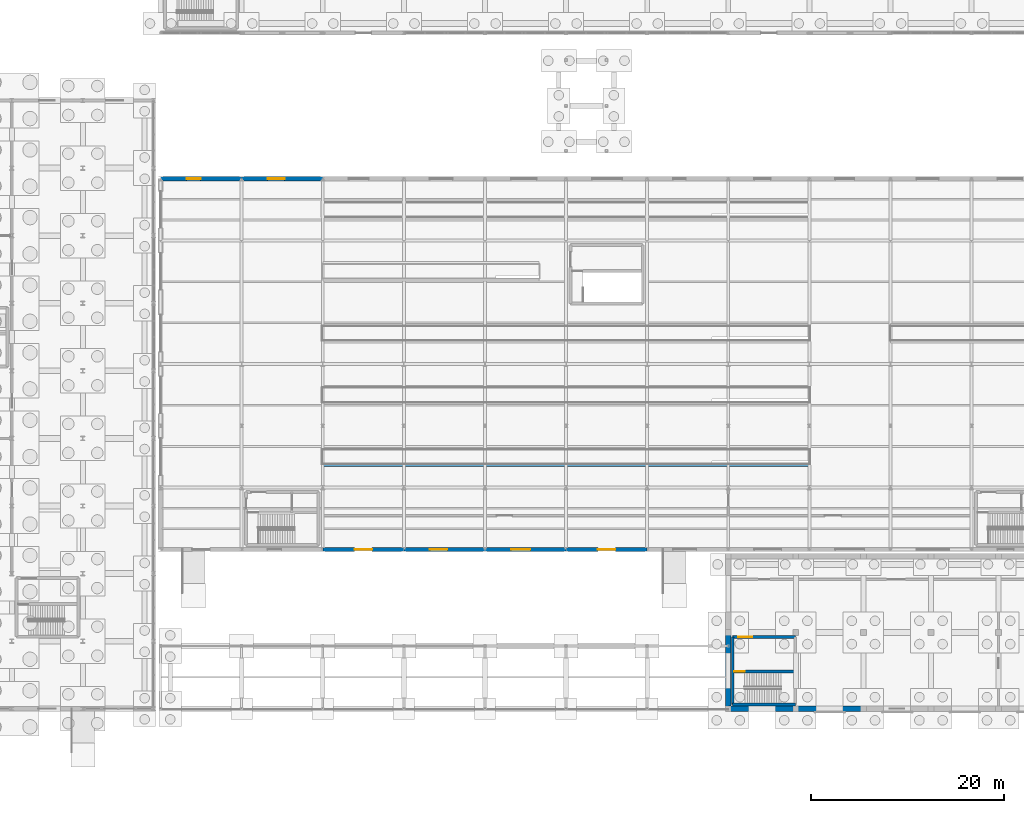
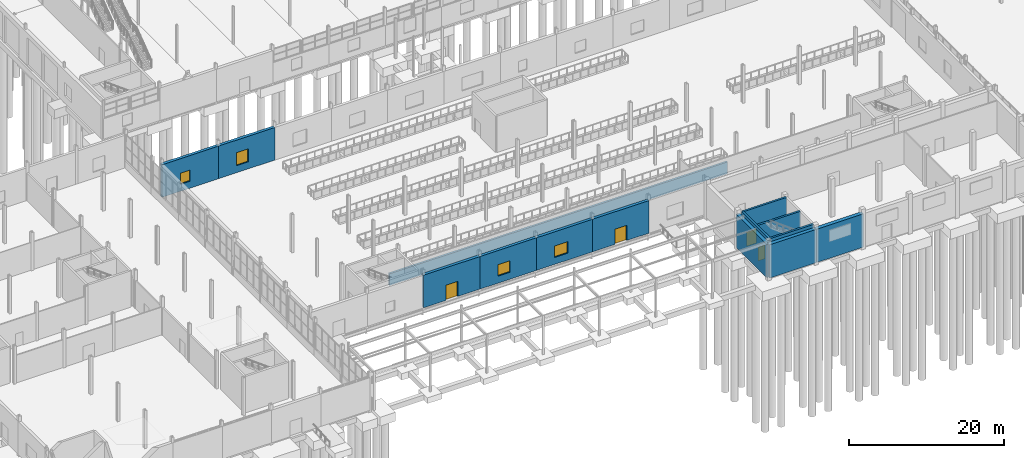
# One storey, part 121 of 139: 14 walls, 4 doors, 4 windows, 8 openings.
"""IFC4 building model written with IfcOpenShell, lengths in metres."""

from ifc_helpers import new_model, si_unit, direction, frame, frame_2d, origin, place, context, subcontext, project, spatial, rectangle, extrude, material, layer, layer_set, type_object, element, fill, save


model = new_model("IFC4")

# Units and contexts
model_context = context("Model", 3, precision=1e-05, world=origin(), true_north=direction((0.0, 1.0)))
body_context = subcontext(model_context, "Body", "Model", "MODEL_VIEW")
ifc_project = project(units=[si_unit("LENGTHUNIT", "METRE"), si_unit("AREAUNIT", "SQUARE_METRE"), si_unit("VOLUMEUNIT", "CUBIC_METRE"), si_unit("PLANEANGLEUNIT", "RADIAN"), si_unit("MASSUNIT", "GRAM", prefix="KILO")], contexts=[model_context])

# Site, building, storey
site_placement = place(None, origin())
site = spatial("IfcSite", under=ifc_project, at=site_placement, CompositionType="ELEMENT")
building_placement = place(site_placement, origin())
building = spatial("IfcBuilding", under=site, at=building_placement, Name="Kazenagashi Tramway Depot", CompositionType="ELEMENT")
storey_placement = place(building_placement, origin())
storey = spatial("IfcBuildingStorey", under=building, at=storey_placement, Name="L01", CompositionType="ELEMENT", Elevation=0.0)

# Wall, opening, door
ifc_material_1 = material(Name="Clay Brick Masonry JIS R 1250 Class 1 (20 MPa)", Category="masonry")
ifc_layer_1 = layer(ifc_material_1, 0.43)
ifc_layer_set_1 = layer_set([ifc_layer_1], Name="Clay Brick Masonry JIS R 1250 Class 1 (20 MPa)")
wall_type_1 = type_object("IfcWallType", Name="W-BK1", PredefinedType="SOLIDWALL", material=ifc_layer_set_1)
wall_1_placement = place(storey_placement, frame((61.6, 16.5, 0.0), z_axis=(0.0, 0.0, 1.0), x_axis=(1.0, 0.0, 0.0)))
wall_1 = element("IfcWall", 1, at=wall_1_placement, inside=storey, type_object=wall_type_1, Name="Exterior Brick Wall W-BK1 EWALL-0081", PredefinedType="SOLIDWALL", context=body_context, shape_type="SweptSolid", body=[
    extrude(rectangle(XDim=8.4, YDim=0.43, at=frame_2d((4.2, 0.0))), origin(), (0.0, 0.0, 1.0), 5.14),
])
opening_1_placement = place(wall_1_placement, frame((3.3, 0.0, 0.0)))
opening_1 = element("IfcOpeningElement", 2, at=opening_1_placement, cuts=wall_1, Name="Opening D-008", PredefinedType="OPENING", context=body_context, shape_type="SweptSolid", body=[
    extrude(rectangle(XDim=1.8, YDim=2.4, at=frame_2d((0.9, 1.2))), frame((0.0, 0.225, 0.0), z_axis=(0.0, -1.0, 0.0), x_axis=(1.0, 0.0, 0.0)), (0.0, 0.0, 1.0), 0.45),
])
ifc_material_2 = material(Name="Anodised Aluminium and Laminated Glass", Category="aluminium")
door_type_1 = type_object("IfcDoorType", Name="DT-01", OperationType="NOTDEFINED", PredefinedType="DOOR", material=ifc_material_2)
door_1_placement = place(opening_1_placement, frame((1.8, 0.0, 0.0), z_axis=(0.0, 0.0, 1.0), x_axis=(-1.0, 0.0, 0.0)))
door_1 = element("IfcDoor", 3, at=door_1_placement, inside=storey, type_object=door_type_1, Name="Overhaul Hall Final Exit Door D-008", OperationType="DOUBLE_DOOR_SINGLE_SWING", OverallHeight=2.4, OverallWidth=1.8, PredefinedType="DOOR", context=body_context, shape_type="SweptSolid", body=[
    extrude(rectangle(XDim=1.8, YDim=2.4, at=frame_2d((0.9, 1.2))), frame((0.0, 0.025, 0.0), z_axis=(0.0, -1.0, 0.0), x_axis=(1.0, 0.0, 0.0)), (0.0, 0.0, 1.0), 0.05),
])
fill(opening_1, door_1)

# Wall, opening, window
wall_2_placement = place(storey_placement, frame((70.0, 16.5, 0.0), z_axis=(0.0, 0.0, 1.0), x_axis=(1.0, 0.0, 0.0)))
wall_2 = element("IfcWall", 4, at=wall_2_placement, inside=storey, type_object=wall_type_1, Name="Exterior Brick Wall W-BK1 EWALL-0083", PredefinedType="SOLIDWALL", context=body_context, shape_type="SweptSolid", body=[
    extrude(rectangle(XDim=8.4, YDim=0.43, at=frame_2d((4.2, 0.0))), origin(), (0.0, 0.0, 1.0), 5.14),
])
opening_2_placement = place(wall_2_placement, frame((2.7, 0.0, 1.1)))
opening_2 = element("IfcOpeningElement", 5, at=opening_2_placement, cuts=wall_2, Name="Opening WN-05", PredefinedType="OPENING", context=body_context, shape_type="SweptSolid", body=[
    extrude(rectangle(XDim=1.8, YDim=1.8, at=frame_2d((0.9, 0.9))), frame((0.0, 0.225, 0.0), z_axis=(0.0, -1.0, 0.0), x_axis=(1.0, 0.0, 0.0)), (0.0, 0.0, 1.0), 0.45),
])
ifc_material_3 = material(Name="Anodised Aluminium and Tempered Low-E Glass", Category="aluminium")
window_type_1 = type_object("IfcWindowType", Name="WN-05", PartitioningType="SINGLE_PANEL", PredefinedType="WINDOW", material=ifc_material_3)
window_1_placement = place(opening_2_placement, origin())
window_1 = element("IfcWindow", 6, at=window_1_placement, inside=storey, type_object=window_type_1, Name="Window WN-05 WIN-0053", OverallHeight=1.8, OverallWidth=1.8, PartitioningType="SINGLE_PANEL", PredefinedType="WINDOW", context=body_context, shape_type="SweptSolid", body=[
    extrude(rectangle(XDim=1.8, YDim=1.8, at=frame_2d((0.9, 0.9))), frame((0.0, 0.03, 0.0), z_axis=(0.0, -1.0, 0.0), x_axis=(1.0, 0.0, 0.0)), (0.0, 0.0, 1.0), 0.06),
])
fill(opening_2, window_1)

wall_3_placement = place(storey_placement, frame((78.4, 16.5, 0.0), z_axis=(0.0, 0.0, 1.0), x_axis=(1.0, 0.0, 0.0)))
wall_3 = element("IfcWall", 7, at=wall_3_placement, inside=storey, type_object=wall_type_1, Name="Exterior Brick Wall W-BK1 EWALL-0085", PredefinedType="SOLIDWALL", context=body_context, shape_type="SweptSolid", body=[
    extrude(rectangle(XDim=8.4, YDim=0.43, at=frame_2d((4.2, 0.0))), origin(), (0.0, 0.0, 1.0), 5.14),
])
opening_3_placement = place(wall_3_placement, frame((2.7, 0.0, 1.1)))
opening_3 = element("IfcOpeningElement", 8, at=opening_3_placement, cuts=wall_3, Name="Opening WN-07", PredefinedType="OPENING", context=body_context, shape_type="SweptSolid", body=[
    extrude(rectangle(XDim=2.0, YDim=1.8, at=frame_2d((1.0, 0.9))), frame((0.0, 0.225, 0.0), z_axis=(0.0, -1.0, 0.0), x_axis=(1.0, 0.0, 0.0)), (0.0, 0.0, 1.0), 0.45),
])
window_type_2 = type_object("IfcWindowType", Name="WN-07", PartitioningType="SINGLE_PANEL", PredefinedType="WINDOW", material=ifc_material_3)
window_2_placement = place(opening_3_placement, origin())
window_2 = element("IfcWindow", 9, at=window_2_placement, inside=storey, type_object=window_type_2, Name="Window WN-07 WIN-0055", OverallHeight=1.8, OverallWidth=2.0, PartitioningType="SINGLE_PANEL", PredefinedType="WINDOW", context=body_context, shape_type="SweptSolid", body=[
    extrude(rectangle(XDim=2.0, YDim=1.8, at=frame_2d((1.0, 0.9))), frame((0.0, 0.03, 0.0), z_axis=(0.0, -1.0, 0.0), x_axis=(1.0, 0.0, 0.0)), (0.0, 0.0, 1.0), 0.06),
])
fill(opening_3, window_2)

# Wall, opening, door
wall_4_placement = place(storey_placement, frame((86.8, 16.5, 0.0), z_axis=(0.0, 0.0, 1.0), x_axis=(1.0, 0.0, 0.0)))
wall_4 = element("IfcWall", 10, at=wall_4_placement, inside=storey, type_object=wall_type_1, Name="Exterior Brick Wall W-BK1 EWALL-0087", PredefinedType="SOLIDWALL", context=body_context, shape_type="SweptSolid", body=[
    extrude(rectangle(XDim=8.4, YDim=0.43, at=frame_2d((4.2, 0.0))), origin(), (0.0, 0.0, 1.0), 5.14),
])
opening_4_placement = place(wall_4_placement, frame((3.3, 0.0, 0.0)))
opening_4 = element("IfcOpeningElement", 11, at=opening_4_placement, cuts=wall_4, Name="Opening D-009", PredefinedType="OPENING", context=body_context, shape_type="SweptSolid", body=[
    extrude(rectangle(XDim=1.8, YDim=2.4, at=frame_2d((0.9, 1.2))), frame((0.0, 0.225, 0.0), z_axis=(0.0, -1.0, 0.0), x_axis=(1.0, 0.0, 0.0)), (0.0, 0.0, 1.0), 0.45),
])
door_2_placement = place(opening_4_placement, frame((1.8, 0.0, 0.0), z_axis=(0.0, 0.0, 1.0), x_axis=(-1.0, 0.0, 0.0)))
door_2 = element("IfcDoor", 12, at=door_2_placement, inside=storey, type_object=door_type_1, Name="Overhaul Hall Final Exit Door D-009", OperationType="DOUBLE_DOOR_SINGLE_SWING", OverallHeight=2.4, OverallWidth=1.8, PredefinedType="DOOR", context=body_context, shape_type="SweptSolid", body=[
    extrude(rectangle(XDim=1.8, YDim=2.4, at=frame_2d((0.9, 1.2))), frame((0.0, 0.025, 0.0), z_axis=(0.0, -1.0, 0.0), x_axis=(1.0, 0.0, 0.0)), (0.0, 0.0, 1.0), 0.05),
])
fill(opening_4, door_2)

# Wall, opening, window
wall_5_placement = place(storey_placement, frame((44.8, 54.9, 0.0), z_axis=(0.0, 0.0, 1.0), x_axis=(1.0, 0.0, 0.0)))
wall_5 = element("IfcWall", 13, at=wall_5_placement, inside=storey, type_object=wall_type_1, Name="Exterior Brick Wall W-BK1 EWALL-0101", PredefinedType="SOLIDWALL", context=body_context, shape_type="SweptSolid", body=[
    extrude(rectangle(XDim=8.4, YDim=0.43, at=frame_2d((4.2, 0.0))), origin(), (0.0, 0.0, 1.0), 5.14),
])
opening_5_placement = place(wall_5_placement, frame((2.7, 0.0, 1.1)))
opening_5 = element("IfcOpeningElement", 14, at=opening_5_placement, cuts=wall_5, Name="Opening WN-22", PredefinedType="OPENING", context=body_context, shape_type="SweptSolid", body=[
    extrude(rectangle(XDim=1.45, YDim=1.75, at=frame_2d((0.725, 0.875))), frame((0.0, 0.225, 0.0), z_axis=(0.0, -1.0, 0.0), x_axis=(1.0, 0.0, 0.0)), (0.0, 0.0, 1.0), 0.45),
])
window_type_3 = type_object("IfcWindowType", Name="WN-22", PartitioningType="SINGLE_PANEL", PredefinedType="WINDOW", material=ifc_material_3)
window_3_placement = place(opening_5_placement, origin())
window_3 = element("IfcWindow", 15, at=window_3_placement, inside=storey, type_object=window_type_3, Name="Window WN-22 WIN-0070", OverallHeight=1.75, OverallWidth=1.45, PartitioningType="SINGLE_PANEL", PredefinedType="WINDOW", context=body_context, shape_type="SweptSolid", body=[
    extrude(rectangle(XDim=1.45, YDim=1.75, at=frame_2d((0.725, 0.875))), frame((0.0, 0.03, 0.0), z_axis=(0.0, -1.0, 0.0), x_axis=(1.0, 0.0, 0.0)), (0.0, 0.0, 1.0), 0.06),
])
fill(opening_5, window_3)

wall_6_placement = place(storey_placement, frame((53.2, 54.9, 0.0), z_axis=(0.0, 0.0, 1.0), x_axis=(1.0, 0.0, 0.0)))
wall_6 = element("IfcWall", 16, at=wall_6_placement, inside=storey, type_object=wall_type_1, Name="Exterior Brick Wall W-BK1 EWALL-0103", PredefinedType="SOLIDWALL", context=body_context, shape_type="SweptSolid", body=[
    extrude(rectangle(XDim=8.4, YDim=0.43, at=frame_2d((4.2, 0.0))), origin(), (0.0, 0.0, 1.0), 5.14),
])
opening_6_placement = place(wall_6_placement, frame((2.7, 0.0, 1.1)))
opening_6 = element("IfcOpeningElement", 17, at=opening_6_placement, cuts=wall_6, Name="Opening WN-24", PredefinedType="OPENING", context=body_context, shape_type="SweptSolid", body=[
    extrude(rectangle(XDim=1.75, YDim=2.05, at=frame_2d((0.875, 1.025))), frame((0.0, 0.225, 0.0), z_axis=(0.0, -1.0, 0.0), x_axis=(1.0, 0.0, 0.0)), (0.0, 0.0, 1.0), 0.45),
])
window_type_4 = type_object("IfcWindowType", Name="WN-24", PartitioningType="SINGLE_PANEL", PredefinedType="WINDOW", material=ifc_material_3)
window_4_placement = place(opening_6_placement, origin())
window_4 = element("IfcWindow", 18, at=window_4_placement, inside=storey, type_object=window_type_4, Name="Window WN-24 WIN-0072", OverallHeight=2.05, OverallWidth=1.75, PartitioningType="SINGLE_PANEL", PredefinedType="WINDOW", context=body_context, shape_type="SweptSolid", body=[
    extrude(rectangle(XDim=1.75, YDim=2.05, at=frame_2d((0.875, 1.025))), frame((0.0, 0.03, 0.0), z_axis=(0.0, -1.0, 0.0), x_axis=(1.0, 0.0, 0.0)), (0.0, 0.0, 1.0), 0.06),
])
fill(opening_6, window_4)

# Walls
ifc_material_4 = material(Name="Clinker Brick Masonry JIS R 1250 Class 1 (24 MPa)", Category="masonry")
ifc_layer_2 = layer(ifc_material_4, 0.54)
ifc_layer_set_2 = layer_set([ifc_layer_2], Name="Clinker Brick Masonry JIS R 1250 Class 1 (24 MPa)")
wall_type_2 = type_object("IfcWallType", Name="W-BK4", PredefinedType="SOLIDWALL", material=ifc_layer_set_2)
for number, where, z_axis, x_axis, name in (
    (19, (103.6, 0.0, 0.0), (0.0, 0.0, 1.0), (1.0, 0.0, 0.0), "Exterior Brick Wall W-BK4 EWALL-0277"),
    (20, (110.6, 0.0, 0.0), (0.0, 0.0, 1.0), (1.0, 0.0, 0.0), "Exterior Brick Wall W-BK4 EWALL-0279"),
):
    element("IfcWall", number, at=place(storey_placement, frame(where, z_axis=z_axis, x_axis=x_axis)), inside=storey, type_object=wall_type_2, Name=name, PredefinedType="SOLIDWALL", context=body_context, shape_type="SweptSolid", body=[
        extrude(rectangle(XDim=7.0, YDim=0.54, at=frame_2d((3.5, 0.0))), origin(), (0.0, 0.0, 1.0), 5.25),
    ])
wall_7_placement = place(storey_placement, frame((103.6, 0.0, 0.0), z_axis=(0.0, 0.0, 1.0), x_axis=(0.0, 1.0, 0.0)))
element("IfcWall", 21, at=wall_7_placement, inside=storey, type_object=wall_type_2, Name="Exterior Brick Wall W-BK4 EWALL-0289", PredefinedType="SOLIDWALL", context=body_context, shape_type="SweptSolid", body=[
    extrude(rectangle(XDim=7.9, YDim=0.54, at=frame_2d((3.95, 0.0))), origin(), (0.0, 0.0, 1.0), 5.25),
])
ifc_material_5 = material(Name="Concrete Fc36", Category="concrete")
ifc_layer_3 = layer(ifc_material_5, 0.3)
ifc_layer_set_3 = layer_set([ifc_layer_3], Name="Concrete Fc36")
wall_type_3 = type_object("IfcWallType", Name="W-RC1", PredefinedType="SHEAR", material=ifc_layer_set_3)
wall_8_placement = place(storey_placement, frame((61.6, 25.25, -1.85), z_axis=(0.0, 0.0, 1.0), x_axis=(1.0, 0.0, 0.0)))
element("IfcWall", 22, at=wall_8_placement, inside=storey, type_object=wall_type_3, Name="Core Shear Wall W-RC1 IWALL-0001", PredefinedType="SHEAR", context=body_context, shape_type="SweptSolid", body=[
    extrude(rectangle(XDim=50.4, YDim=0.3, at=frame_2d((25.2, 0.0))), origin(), (0.0, 0.0, 1.0), 1.85),
])
wall_9_placement = place(storey_placement, frame((104.06, 0.46, -0.35), z_axis=(0.0, 0.0, 1.0), x_axis=(1.0, 0.0, 0.0)))
element("IfcWall", 23, at=wall_9_placement, inside=storey, type_object=wall_type_3, Name="Core Shear Wall W-RC1 IWALL-0227", PredefinedType="SHEAR", context=body_context, shape_type="SweptSolid", body=[
    extrude(rectangle(XDim=6.48, YDim=0.3, at=frame_2d((3.24, 0.0))), origin(), (0.0, 0.0, 1.0), 6.07),
])

# Wall, opening, door
wall_10_placement = place(storey_placement, frame((104.06, 7.44, -0.35), z_axis=(0.0, 0.0, 1.0), x_axis=(1.0, 0.0, 0.0)))
wall_10 = element("IfcWall", 24, at=wall_10_placement, inside=storey, type_object=wall_type_3, Name="Core Shear Wall W-RC1 IWALL-0228", PredefinedType="SHEAR", context=body_context, shape_type="SweptSolid", body=[
    extrude(rectangle(XDim=6.48, YDim=0.3, at=frame_2d((3.24, 0.0))), origin(), (0.0, 0.0, 1.0), 6.07),
])
opening_7_placement = place(wall_10_placement, frame((0.55, 0.0, 0.35)))
opening_7 = element("IfcOpeningElement", 25, at=opening_7_placement, cuts=wall_10, Name="Opening D-127", PredefinedType="OPENING", context=body_context, shape_type="SweptSolid", body=[
    extrude(rectangle(XDim=1.5, YDim=2.2, at=frame_2d((0.75, 1.1))), frame((0.0, 0.16, 0.0), z_axis=(0.0, -1.0, 0.0), x_axis=(1.0, 0.0, 0.0)), (0.0, 0.0, 1.0), 0.32),
])
ifc_material_6 = material(Name="Galvanised Fire-Rated Steel Door", Category="steel")
door_type_2 = type_object("IfcDoorType", Name="DT-05", OperationType="NOTDEFINED", PredefinedType="DOOR", material=ifc_material_6)
door_3_placement = place(opening_7_placement, origin())
door_3 = element("IfcDoor", 26, at=door_3_placement, inside=storey, type_object=door_type_2, Name="Interior Door D-127", OperationType="DOUBLE_DOOR_SINGLE_SWING", OverallHeight=2.2, OverallWidth=1.5, PredefinedType="DOOR", context=body_context, shape_type="SweptSolid", body=[
    extrude(rectangle(XDim=1.5, YDim=2.2, at=frame_2d((0.75, 1.1))), frame((0.0, 0.025, 0.0), z_axis=(0.0, -1.0, 0.0), x_axis=(1.0, 0.0, 0.0)), (0.0, 0.0, 1.0), 0.05),
])
fill(opening_7, door_3)

# Wall
wall_11_placement = place(storey_placement, frame((104.06, 0.46, -0.35), z_axis=(0.0, 0.0, 1.0), x_axis=(0.0, 1.0, 0.0)))
element("IfcWall", 27, at=wall_11_placement, inside=storey, type_object=wall_type_3, Name="Core Shear Wall W-RC1 IWALL-0229", PredefinedType="SHEAR", context=body_context, shape_type="SweptSolid", body=[
    extrude(rectangle(XDim=6.98, YDim=0.3, at=frame_2d((3.49, 0.0))), origin(), (0.0, 0.0, 1.0), 6.07),
])

# Wall, opening, door
wall_12_placement = place(storey_placement, frame((104.06, 3.85, -0.35), z_axis=(0.0, 0.0, 1.0), x_axis=(1.0, 0.0, 0.0)))
wall_12 = element("IfcWall", 28, at=wall_12_placement, inside=storey, type_object=wall_type_3, Name="Core Shear Wall W-RC1 IWALL-0231", PredefinedType="SHEAR", context=body_context, shape_type="SweptSolid", body=[
    extrude(rectangle(XDim=6.48, YDim=0.3, at=frame_2d((3.24, 0.0))), origin(), (0.0, 0.0, 1.0), 6.07),
])
opening_8_placement = place(wall_12_placement, frame((0.185, 0.0, 0.35)))
opening_8 = element("IfcOpeningElement", 29, at=opening_8_placement, cuts=wall_12, Name="Opening D-126", PredefinedType="OPENING", context=body_context, shape_type="SweptSolid", body=[
    extrude(rectangle(XDim=1.05, YDim=2.15, at=frame_2d((0.525, 1.075))), frame((0.0, 0.16, 0.0), z_axis=(0.0, -1.0, 0.0), x_axis=(1.0, 0.0, 0.0)), (0.0, 0.0, 1.0), 0.32),
])
door_type_3 = type_object("IfcDoorType", Name="DT-07", OperationType="NOTDEFINED", PredefinedType="DOOR", material=ifc_material_6)
door_4_placement = place(opening_8_placement, origin())
door_4 = element("IfcDoor", 30, at=door_4_placement, inside=storey, type_object=door_type_3, Name="Interior Door D-126", OperationType="SINGLE_SWING_LEFT", OverallHeight=2.15, OverallWidth=1.05, PredefinedType="DOOR", context=body_context, shape_type="SweptSolid", body=[
    extrude(rectangle(XDim=1.05, YDim=2.15, at=frame_2d((0.525, 1.075))), frame((0.0, 0.025, 0.0), z_axis=(0.0, -1.0, 0.0), x_axis=(1.0, 0.0, 0.0)), (0.0, 0.0, 1.0), 0.05),
])
fill(opening_8, door_4)

save(model, "model.ifc")
